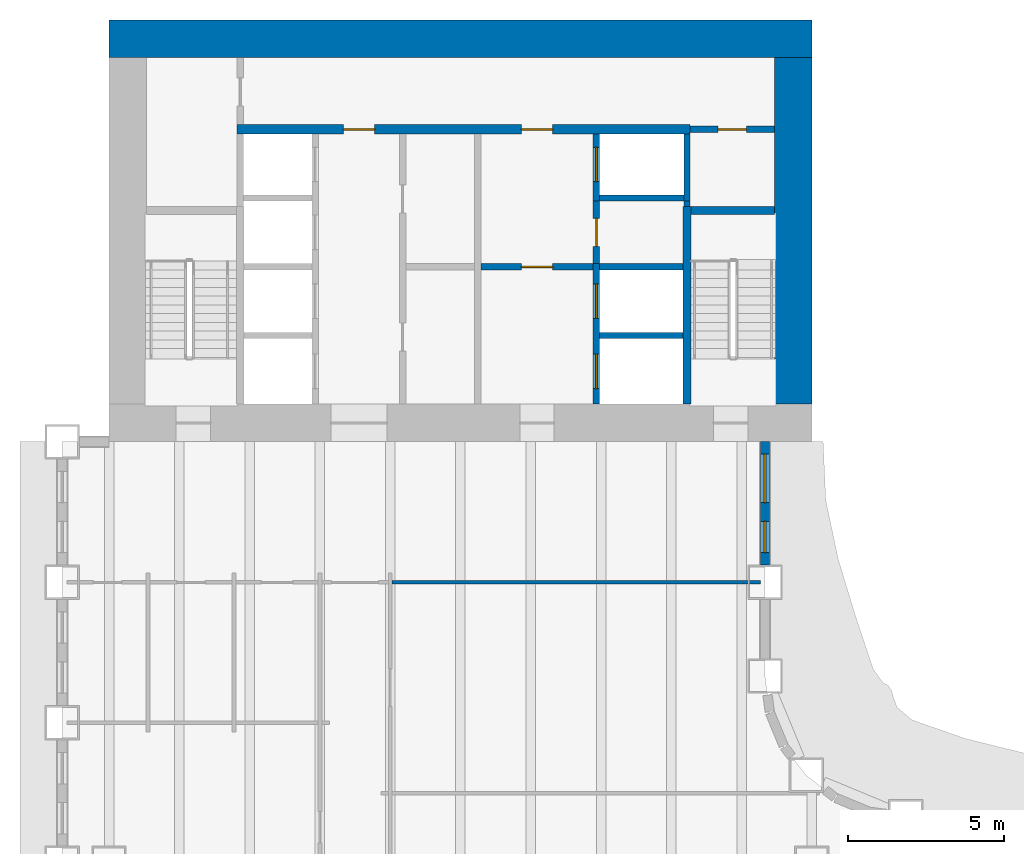
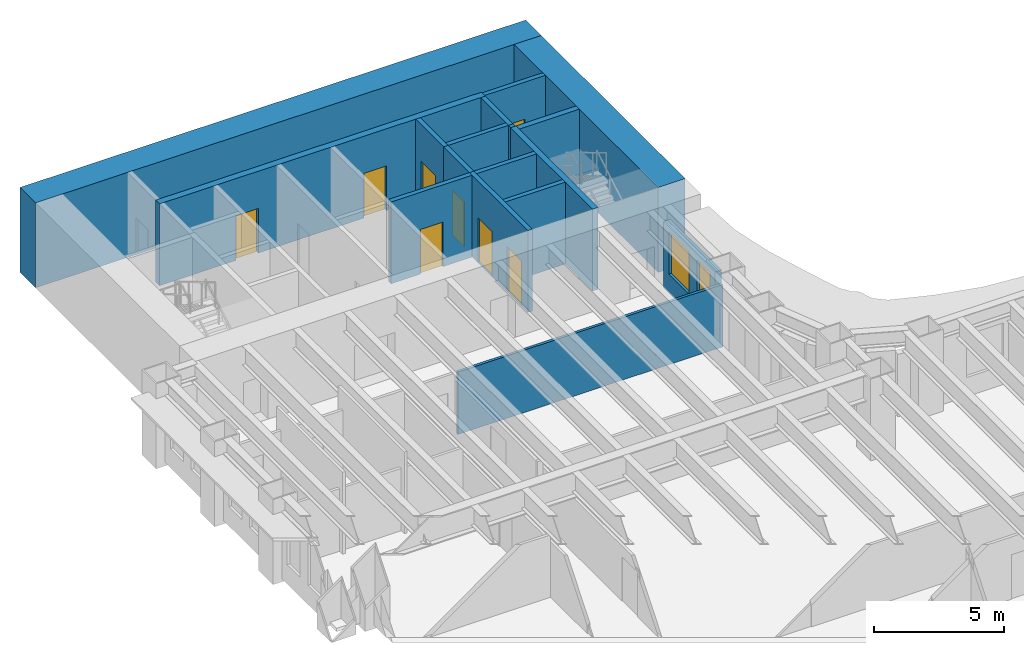
# One storey, part 8 of 15: 17 walls, 8 doors, 2 windows, 10 openings.
"""IFC4 building model written with IfcOpenShell, lengths in metres."""

from ifc_helpers import new_model, si_unit, direction, frame, frame_2d, origin, place, context, subcontext, project, spatial, rectangle, extrude, material, layer, layer_set, type_object, element, fill, save


model = new_model("IFC4")

# Units and contexts
model_context = context("Model", 3, precision=1e-05, world=origin(), true_north=direction((0.0, 1.0)))
body_context = subcontext(model_context, "Body", "Model", "MODEL_VIEW")
ifc_project = project(units=[si_unit("LENGTHUNIT", "METRE"), si_unit("AREAUNIT", "SQUARE_METRE"), si_unit("VOLUMEUNIT", "CUBIC_METRE"), si_unit("PLANEANGLEUNIT", "RADIAN"), si_unit("MASSUNIT", "GRAM", prefix="KILO")], contexts=[model_context])

# Site, building, storey
site_placement = place(None, origin())
site = spatial("IfcSite", under=ifc_project, at=site_placement, CompositionType="ELEMENT")
building_placement = place(site_placement, origin())
building = spatial("IfcBuilding", under=site, at=building_placement, Name="Sennacour Bend Tower", CompositionType="ELEMENT")
storey_placement = place(building_placement, frame((0.0, 0.0, 41.0)))
storey = spatial("IfcBuildingStorey", under=building, at=storey_placement, Name="L08", CompositionType="ELEMENT", Elevation=41.0)

# Walls
ifc_material_1 = material(Name="Concrete C80/95", Category="concrete")
ifc_layer_1 = layer(ifc_material_1, 1.199951171875, Name="Concrete C80/95", Category="concrete")
ifc_layer_set_1 = layer_set([ifc_layer_1], Name="Concrete C80/95")
wall_type_1 = type_object("IfcWallType", Name="Core wall 1200 C80/95", PredefinedType="SHEAR", material=ifc_layer_set_1)
wall_1_placement = place(storey_placement, frame((0.0, 48.89990234375, -0.14990234375), z_axis=(0.0, 0.0, 1.0), x_axis=(1.0, 0.0, 0.0)))
element("IfcWall", 1, at=wall_1_placement, inside=storey, type_object=wall_type_1, Name="Core B wall L08 N", PredefinedType="SHEAR", context=body_context, shape_type="SweptSolid", body=[
    extrude(rectangle(XDim=22.5, YDim=1.199951171875, at=frame_2d((11.25, 0.0))), origin(), (0.0, 0.0, 1.0), 4.0),
])
wall_2_placement = place(storey_placement, frame((21.89990234375, 37.199951171875, -0.14990234375), z_axis=(0.0, 0.0, 1.0), x_axis=(0.0, 1.0, 0.0)))
element("IfcWall", 2, at=wall_2_placement, inside=storey, type_object=wall_type_1, Name="Core B wall L08 E", PredefinedType="SHEAR", context=body_context, shape_type="SweptSolid", body=[
    extrude(rectangle(XDim=11.10009765625, YDim=1.199951171875, at=frame_2d((5.550048828125, 0.0))), origin(), (0.0, 0.0, 1.0), 4.0),
])
ifc_material_2 = material(Name="Plasterboard partition on steel studs", Category="steel")
ifc_layer_2 = layer(ifc_material_2, 0.1201171875, Name="Plasterboard partition on steel studs", Category="steel")
ifc_layer_set_2 = layer_set([ifc_layer_2], Name="Plasterboard partition on steel studs")
wall_type_2 = type_object("IfcWallType", Name="Partition 120", PredefinedType="PARTITIONING", material=ifc_layer_set_2)
wall_3_placement = place(storey_placement, frame((9.06005859375, 31.5, 0.0), z_axis=(0.0, 0.0, 1.0), x_axis=(1.0, 0.0, 0.0)))
element("IfcWall", 3, at=wall_3_placement, inside=storey, type_object=wall_type_2, Name="P-L08-W072ae", PredefinedType="PARTITIONING", context=body_context, shape_type="SweptSolid", body=[
    extrude(rectangle(XDim=11.7900390625, YDim=0.1201171875, at=frame_2d((5.89501953125, 0.0))), origin(), (0.0, 0.0, 1.0), 2.93798828125),
])

# Wall, opening, door
ifc_material_3 = material(Name="Fire-rated plasterboard partition on steel studs", Category="steel")
ifc_layer_3 = layer(ifc_material_3, 0.199951171875, Name="Fire-rated plasterboard partition on steel studs", Category="steel")
ifc_layer_set_3 = layer_set([ifc_layer_3], Name="Fire-rated plasterboard partition on steel studs")
wall_type_3 = type_object("IfcWallType", Name="Rated partition 200", PredefinedType="PARTITIONING", material=ifc_layer_set_3)
wall_4_placement = place(storey_placement, frame((15.60009765625, 41.699951171875, 0.0), z_axis=(0.0, 0.0, 1.0), x_axis=(0.0, 1.0, 0.0)))
wall_4 = element("IfcWall", 4, at=wall_4_placement, inside=storey, type_object=wall_type_3, Name="P-L08-W017", PredefinedType="PARTITIONING", context=body_context, shape_type="SweptSolid", body=[
    extrude(rectangle(XDim=2.0, YDim=0.199951171875, at=frame_2d((1.0, 0.0))), origin(), (0.0, 0.0, 1.0), 3.85009765625),
])
opening_1_placement = place(wall_4_placement, frame((0.550048828125, 0.0, 0.0)))
opening_1 = element("IfcOpeningElement", 5, at=opening_1_placement, cuts=wall_4, Name="Opening SV", PredefinedType="OPENING", context=body_context, shape_type="SweptSolid", body=[
    extrude(rectangle(XDim=0.89990234375, YDim=2.10009765625, at=frame_2d((0.449951171875, 1.050048828125))), frame((0.0, 0.10986328125, 0.0), z_axis=(0.0, -1.0, 0.0), x_axis=(1.0, 0.0, 0.0)), (0.0, 0.0, 1.0), 0.219970703125),
])
ifc_material_4 = material(Name="Painted steel", Category="steel")
door_type_1 = type_object("IfcDoorType", Name="DR-SERVICE-900", OperationType="NOTDEFINED", PredefinedType="DOOR", material=ifc_material_4)
door_1_placement = place(opening_1_placement, origin())
door_1 = element("IfcDoor", 6, at=door_1_placement, inside=storey, type_object=door_type_1, Name="Door", OperationType="SINGLE_SWING_RIGHT", OverallHeight=2.10009765625, OverallWidth=0.89990234375, PredefinedType="DOOR", context=body_context, shape_type="SweptSolid", body=[
    extrude(rectangle(XDim=0.89990234375, YDim=2.10009765625, at=frame_2d((0.449951171875, 1.050048828125))), frame((0.0, 0.02490234375, 0.0), z_axis=(0.0, -1.0, 0.0), x_axis=(1.0, 0.0, 0.0)), (0.0, 0.0, 1.0), 0.050048828125),
])
fill(opening_1, door_1)

# Wall
wall_5_placement = place(storey_placement, frame((18.5, 43.52490234375, 0.0), z_axis=(0.0, 0.0, 1.0), x_axis=(0.0, 1.0, 0.0)))
element("IfcWall", 7, at=wall_5_placement, inside=storey, type_object=wall_type_3, Name="P-L08-W021", PredefinedType="PARTITIONING", context=body_context, shape_type="SweptSolid", body=[
    extrude(rectangle(XDim=0.175048828125, YDim=0.199951171875, at=frame_2d((0.08740234375, 0.0))), origin(), (0.0, 0.0, 1.0), 3.85009765625),
])

# Wall, opening, door
wall_6_placement = place(storey_placement, frame((18.60009765625, 46.0, 0.0), z_axis=(0.0, 0.0, 1.0), x_axis=(1.0, 0.0, 0.0)))
wall_6 = element("IfcWall", 8, at=wall_6_placement, inside=storey, type_object=wall_type_3, Name="P-L08-W084", PredefinedType="PARTITIONING", context=body_context, shape_type="SweptSolid", body=[
    extrude(rectangle(XDim=2.699951171875, YDim=0.199951171875, at=frame_2d((1.35009765625, 0.0))), origin(), (0.0, 0.0, 1.0), 3.85009765625),
])
opening_2_placement = place(wall_6_placement, frame((0.89990234375, 0.0, 0.0)))
opening_2 = element("IfcOpeningElement", 9, at=opening_2_placement, cuts=wall_6, Name="Opening SV", PredefinedType="OPENING", context=body_context, shape_type="SweptSolid", body=[
    extrude(rectangle(XDim=0.89990234375, YDim=2.10009765625, at=frame_2d((0.449951171875, 1.050048828125))), frame((0.0, 0.10986328125, 0.0), z_axis=(0.0, -1.0, 0.0), x_axis=(1.0, 0.0, 0.0)), (0.0, 0.0, 1.0), 0.219970703125),
])
door_2_placement = place(opening_2_placement, origin())
door_2 = element("IfcDoor", 10, at=door_2_placement, inside=storey, type_object=door_type_1, Name="Door", OperationType="SINGLE_SWING_LEFT", OverallHeight=2.10009765625, OverallWidth=0.89990234375, PredefinedType="DOOR", context=body_context, shape_type="SweptSolid", body=[
    extrude(rectangle(XDim=0.89990234375, YDim=2.10009765625, at=frame_2d((0.449951171875, 1.050048828125))), frame((0.0, 0.02490234375, 0.0), z_axis=(0.0, -1.0, 0.0), x_axis=(1.0, 0.0, 0.0)), (0.0, 0.0, 1.0), 0.050048828125),
])
fill(opening_2, door_2)

ifc_layer_4 = layer(ifc_material_3, 0.199951171875, Name="Fire-rated plasterboard partition on steel studs", Category="steel")
ifc_layer_set_4 = layer_set([ifc_layer_4], Name="Fire-rated plasterboard partition on steel studs")
wall_type_4 = type_object("IfcWallType", Name="Rated partition 200 EI 90", PredefinedType="PARTITIONING", material=ifc_layer_set_4)
wall_7_placement = place(storey_placement, frame((11.89990234375, 41.60009765625, 0.0), z_axis=(0.0, 0.0, 1.0), x_axis=(1.0, 0.0, 0.0)))
wall_7 = element("IfcWall", 11, at=wall_7_placement, inside=storey, type_object=wall_type_4, Name="P-L08-W077b", PredefinedType="PARTITIONING", context=body_context, shape_type="SweptSolid", body=[
    extrude(rectangle(XDim=3.60009765625, YDim=0.199951171875, at=frame_2d((1.800048828125, 0.0))), origin(), (0.0, 0.0, 1.0), 3.85009765625),
])
opening_3_placement = place(wall_7_placement, frame((1.300048828125, 0.0, 0.0)))
opening_3 = element("IfcOpeningElement", 12, at=opening_3_placement, cuts=wall_7, Name="Opening FD2", PredefinedType="OPENING", context=body_context, shape_type="SweptSolid", body=[
    extrude(rectangle(XDim=1.0, YDim=2.10009765625, at=frame_2d((0.5, 1.050048828125))), frame((0.0, 0.10986328125, 0.0), z_axis=(0.0, -1.0, 0.0), x_axis=(1.0, 0.0, 0.0)), (0.0, 0.0, 1.0), 0.219970703125),
])
door_type_2 = type_object("IfcDoorType", Name="DR-FFL-1000", OperationType="NOTDEFINED", PredefinedType="DOOR", material=ifc_material_4)
door_3_placement = place(opening_3_placement, origin())
door_3 = element("IfcDoor", 13, at=door_3_placement, inside=storey, type_object=door_type_2, Name="Door", OperationType="SINGLE_SWING_RIGHT", OverallHeight=2.10009765625, OverallWidth=1.0, PredefinedType="DOOR", context=body_context, shape_type="SweptSolid", body=[
    extrude(rectangle(XDim=1.0, YDim=2.10009765625, at=frame_2d((0.5, 1.050048828125))), frame((0.0, 0.02490234375, 0.0), z_axis=(0.0, -1.0, 0.0), x_axis=(1.0, 0.0, 0.0)), (0.0, 0.0, 1.0), 0.050048828125),
])
fill(opening_3, door_3)

# Wall, openings, windows
ifc_material_5 = material(Name="Warm limestone cladding", Category="masonry")
ifc_layer_5 = layer(ifc_material_5, 0.050048828125, Name="Warm limestone cladding", Category="masonry")
ifc_material_6 = material(Name="Precast concrete C40/50", Category="concrete")
ifc_layer_6 = layer(ifc_material_6, 0.25, Name="Precast concrete C40/50", Category="concrete")
ifc_layer_set_5 = layer_set([ifc_layer_5, ifc_layer_6], Name="Precast concrete C40/50 with limestone cladding")
wall_type_5 = type_object("IfcWallType", Name="STONE-CLAD PRECAST SPANDREL 300", PredefinedType="STANDARD", material=ifc_layer_set_5)
wall_8_placement = place(storey_placement, frame((21.0, 32.050048828125, 0.0), z_axis=(0.0, 0.0, 1.0), x_axis=(0.0, 1.0, 0.0)))
wall_8 = element("IfcWall", 14, at=wall_8_placement, inside=storey, type_object=wall_type_5, Name="Stone spandrel and pier wall L08 15.01", PredefinedType="STANDARD", context=body_context, shape_type="SweptSolid", body=[
    extrude(rectangle(XDim=3.949951171875, YDim=0.300048828125, at=frame_2d((1.97509765625, 0.0))), origin(), (0.0, 0.0, 1.0), 3.14404296875),
])
opening_4_placement = place(wall_8_placement, frame((0.39990234375, 0.0, 0.89990234375)))
opening_4 = element("IfcOpeningElement", 15, at=opening_4_placement, cuts=wall_8, Name="Opening W8", PredefinedType="OPENING", context=body_context, shape_type="SweptSolid", body=[
    extrude(rectangle(XDim=1.0, YDim=2.0, at=frame_2d((0.5, 1.0))), frame((0.0, 0.16015625, 0.0), z_axis=(0.0, -1.0, 0.0), x_axis=(1.0, 0.0, 0.0)), (0.0, 0.0, 1.0), 0.320068359375),
])
opening_5_placement = place(wall_8_placement, frame((2.0, 0.0, 0.89990234375)))
opening_5 = element("IfcOpeningElement", 16, at=opening_5_placement, cuts=wall_8, Name="Opening W9", PredefinedType="OPENING", context=body_context, shape_type="SweptSolid", body=[
    extrude(rectangle(XDim=1.550048828125, YDim=2.0, at=frame_2d((0.77490234375, 1.0))), frame((0.0, 0.16015625, 0.0), z_axis=(0.0, -1.0, 0.0), x_axis=(1.0, 0.0, 0.0)), (0.0, 0.0, 1.0), 0.320068359375),
])
ifc_material_7 = material(Name="Clear low-emissivity glass", Category="glass")
window_type_1 = type_object("IfcWindowType", Name="WIN-RIBBON-1000x2000", PartitioningType="SINGLE_PANEL", PredefinedType="WINDOW", material=ifc_material_7)
window_1_placement = place(opening_4_placement, origin())
window_1 = element("IfcWindow", 17, at=window_1_placement, inside=storey, type_object=window_type_1, Name="Ribbon window L08 15.01.0", OverallHeight=2.0, OverallWidth=1.0, PartitioningType="SINGLE_PANEL", PredefinedType="WINDOW", context=body_context, shape_type="SweptSolid", body=[
    extrude(rectangle(XDim=1.0, YDim=2.0, at=frame_2d((0.5, 1.0))), frame((0.0, 0.030029296875, 0.0), z_axis=(0.0, -1.0, 0.0), x_axis=(1.0, 0.0, 0.0)), (0.0, 0.0, 1.0), 0.06005859375),
])
fill(opening_4, window_1)
window_type_2 = type_object("IfcWindowType", Name="WIN-RIBBON-1550x2000", PartitioningType="SINGLE_PANEL", PredefinedType="WINDOW", material=ifc_material_7)
window_2_placement = place(opening_5_placement, origin())
window_2 = element("IfcWindow", 18, at=window_2_placement, inside=storey, type_object=window_type_2, Name="Ribbon window L08 15.01.1", OverallHeight=2.0, OverallWidth=1.550048828125, PartitioningType="SINGLE_PANEL", PredefinedType="WINDOW", context=body_context, shape_type="SweptSolid", body=[
    extrude(rectangle(XDim=1.550048828125, YDim=2.0, at=frame_2d((0.77490234375, 1.0))), frame((0.0, 0.030029296875, 0.0), z_axis=(0.0, -1.0, 0.0), x_axis=(1.0, 0.0, 0.0)), (0.0, 0.0, 1.0), 0.06005859375),
])
fill(opening_5, window_2)

# Wall, openings, doors
ifc_material_8 = material(Name="Concrete C50/60", Category="concrete")
ifc_layer_7 = layer(ifc_material_8, 0.199951171875, Name="Concrete C50/60", Category="concrete")
ifc_layer_set_6 = layer_set([ifc_layer_7], Name="Concrete C50/60")
wall_type_6 = type_object("IfcWallType", Name="Shaft wall 200", PredefinedType="SOLIDWALL", material=ifc_layer_set_6)
wall_9_placement = place(storey_placement, frame((15.60009765625, 37.199951171875, 0.0), z_axis=(0.0, 0.0, 1.0), x_axis=(0.0, 1.0, 0.0)))
wall_9 = element("IfcWall", 19, at=wall_9_placement, inside=storey, type_object=wall_type_6, Name="P-L08-W016", PredefinedType="SOLIDWALL", context=body_context, shape_type="SweptSolid", body=[
    extrude(rectangle(XDim=4.5, YDim=0.199951171875, at=frame_2d((2.25, 0.0))), origin(), (0.0, 0.0, 1.0), 3.85009765625),
])
opening_6_placement = place(wall_9_placement, frame((0.5, 0.0, 0.011962890625)))
opening_6 = element("IfcOpeningElement", 20, at=opening_6_placement, cuts=wall_9, Name="Opening FLD", PredefinedType="OPENING", context=body_context, shape_type="SweptSolid", body=[
    extrude(rectangle(XDim=1.10009765625, YDim=2.10009765625, at=frame_2d((0.550048828125, 1.050048828125))), frame((0.0, 0.10986328125, 0.0), z_axis=(0.0, -1.0, 0.0), x_axis=(1.0, 0.0, 0.0)), (0.0, 0.0, 1.0), 0.219970703125),
])
opening_7_placement = place(wall_9_placement, frame((2.75, 0.0, 0.011962890625)))
opening_7 = element("IfcOpeningElement", 21, at=opening_7_placement, cuts=wall_9, Name="Opening FLD", PredefinedType="OPENING", context=body_context, shape_type="SweptSolid", body=[
    extrude(rectangle(XDim=1.10009765625, YDim=2.10009765625, at=frame_2d((0.550048828125, 1.050048828125))), frame((0.0, 0.10986328125, 0.0), z_axis=(0.0, -1.0, 0.0), x_axis=(1.0, 0.0, 0.0)), (0.0, 0.0, 1.0), 0.219970703125),
])
ifc_material_9 = material(Name="Stainless steel", Category="steel")
door_type_3 = type_object("IfcDoorType", Name="DR-FF-LANDING-1100", OperationType="NOTDEFINED", PredefinedType="DOOR", material=ifc_material_9)
door_4_placement = place(opening_6_placement, origin())
door_4 = element("IfcDoor", 22, at=door_4_placement, inside=storey, type_object=door_type_3, Name="Fire service lift landing door FB1", OperationType="SLIDING_TO_RIGHT", OverallHeight=2.10009765625, OverallWidth=1.10009765625, PredefinedType="DOOR", context=body_context, shape_type="SweptSolid", body=[
    extrude(rectangle(XDim=1.10009765625, YDim=2.10009765625, at=frame_2d((0.550048828125, 1.050048828125))), frame((0.0, 0.02490234375, 0.0), z_axis=(0.0, -1.0, 0.0), x_axis=(1.0, 0.0, 0.0)), (0.0, 0.0, 1.0), 0.050048828125),
])
fill(opening_6, door_4)
door_5_placement = place(opening_7_placement, origin())
door_5 = element("IfcDoor", 23, at=door_5_placement, inside=storey, type_object=door_type_3, Name="Fire service lift landing door FB2", OperationType="SLIDING_TO_LEFT", OverallHeight=2.10009765625, OverallWidth=1.10009765625, PredefinedType="DOOR", context=body_context, shape_type="SweptSolid", body=[
    extrude(rectangle(XDim=1.10009765625, YDim=2.10009765625, at=frame_2d((0.550048828125, 1.050048828125))), frame((0.0, 0.02490234375, 0.0), z_axis=(0.0, -1.0, 0.0), x_axis=(1.0, 0.0, 0.0)), (0.0, 0.0, 1.0), 0.050048828125),
])
fill(opening_7, door_5)

# Wall, opening, door
wall_10_placement = place(storey_placement, frame((15.60009765625, 43.699951171875, 0.0), z_axis=(0.0, 0.0, 1.0), x_axis=(0.0, 1.0, 0.0)))
wall_10 = element("IfcWall", 24, at=wall_10_placement, inside=storey, type_object=wall_type_6, Name="P-L08-W018", PredefinedType="SOLIDWALL", context=body_context, shape_type="SweptSolid", body=[
    extrude(rectangle(XDim=2.150146484375, YDim=0.199951171875, at=frame_2d((1.0751953125, 0.0))), origin(), (0.0, 0.0, 1.0), 3.85009765625),
])
opening_8_placement = place(wall_10_placement, frame((0.625, 0.0, 0.011962890625)))
opening_8 = element("IfcOpeningElement", 25, at=opening_8_placement, cuts=wall_10, Name="Opening LD", PredefinedType="OPENING", context=body_context, shape_type="SweptSolid", body=[
    extrude(rectangle(XDim=1.10009765625, YDim=2.10009765625, at=frame_2d((0.550048828125, 1.050048828125))), frame((0.0, 0.10986328125, 0.0), z_axis=(0.0, -1.0, 0.0), x_axis=(1.0, 0.0, 0.0)), (0.0, 0.0, 1.0), 0.219970703125),
])
door_type_4 = type_object("IfcDoorType", Name="DR-LANDING-1100", OperationType="NOTDEFINED", PredefinedType="DOOR", material=ifc_material_9)
door_6_placement = place(opening_8_placement, origin())
door_6 = element("IfcDoor", 26, at=door_6_placement, inside=storey, type_object=door_type_4, Name="Lift landing door LB5", OperationType="SLIDING_TO_RIGHT", OverallHeight=2.10009765625, OverallWidth=1.10009765625, PredefinedType="DOOR", context=body_context, shape_type="SweptSolid", body=[
    extrude(rectangle(XDim=1.10009765625, YDim=2.10009765625, at=frame_2d((0.550048828125, 1.050048828125))), frame((0.0, 0.02490234375, 0.0), z_axis=(0.0, -1.0, 0.0), x_axis=(1.0, 0.0, 0.0)), (0.0, 0.0, 1.0), 0.050048828125),
])
fill(opening_8, door_6)

# Walls
wall_11_placement = place(storey_placement, frame((18.5, 43.699951171875, 0.0), z_axis=(0.0, 0.0, 1.0), x_axis=(0.0, 1.0, 0.0)))
element("IfcWall", 27, at=wall_11_placement, inside=storey, type_object=wall_type_6, Name="P-L08-W022", PredefinedType="SOLIDWALL", context=body_context, shape_type="SweptSolid", body=[
    extrude(rectangle(XDim=2.150146484375, YDim=0.199951171875, at=frame_2d((1.0751953125, 0.0))), origin(), (0.0, 0.0, 1.0), 3.85009765625),
])
for number, where, z_axis, x_axis, name in (
    (28, (15.699951171875, 39.39990234375, 0.0), (0.0, 0.0, 1.0), (1.0, 0.0, 0.0), "P-L08-W075"),
    (29, (15.699951171875, 41.60009765625, 0.0), (0.0, 0.0, 1.0), (1.0, 0.0, 0.0), "P-L08-W078"),
):
    element("IfcWall", number, at=place(storey_placement, frame(where, z_axis=z_axis, x_axis=x_axis)), inside=storey, type_object=wall_type_6, Name=name, PredefinedType="SOLIDWALL", context=body_context, shape_type="SweptSolid", body=[
        extrude(rectangle(XDim=2.675048828125, YDim=0.199951171875, at=frame_2d((1.33740234375, 0.0))), origin(), (0.0, 0.0, 1.0), 3.85009765625),
    ])
wall_12_placement = place(storey_placement, frame((15.699951171875, 43.800048828125, 0.0), z_axis=(0.0, 0.0, 1.0), x_axis=(1.0, 0.0, 0.0)))
element("IfcWall", 30, at=wall_12_placement, inside=storey, type_object=wall_type_6, Name="P-L08-W082", PredefinedType="SOLIDWALL", context=body_context, shape_type="SweptSolid", body=[
    extrude(rectangle(XDim=2.699951171875, YDim=0.199951171875, at=frame_2d((1.35009765625, 0.0))), origin(), (0.0, 0.0, 1.0), 3.85009765625),
])

# Wall, openings, doors
ifc_material_10 = material(Name="Concrete C60/75", Category="concrete")
ifc_layer_8 = layer(ifc_material_10, 0.300048828125, Name="Concrete C60/75", Category="concrete")
ifc_layer_set_7 = layer_set([ifc_layer_8], Name="Concrete C60/75")
wall_type_7 = type_object("IfcWallType", Name="Spine wall 300", PredefinedType="SHEAR", material=ifc_layer_set_7)
wall_13_placement = place(storey_placement, frame((4.10009765625, 46.0, 0.0), z_axis=(0.0, 0.0, 1.0), x_axis=(1.0, 0.0, 0.0)))
wall_13 = element("IfcWall", 31, at=wall_13_placement, inside=storey, type_object=wall_type_7, Name="P-L08-W083", PredefinedType="SHEAR", context=body_context, shape_type="SweptSolid", body=[
    extrude(rectangle(XDim=14.5, YDim=0.300048828125, at=frame_2d((7.25, 0.0))), origin(), (0.0, 0.0, 1.0), 3.85009765625),
])
opening_9_placement = place(wall_13_placement, frame((3.39990234375, 0.0, 0.0)))
opening_9 = element("IfcOpeningElement", 32, at=opening_9_placement, cuts=wall_13, Name="Opening CD2", PredefinedType="OPENING", context=body_context, shape_type="SweptSolid", body=[
    extrude(rectangle(XDim=1.0, YDim=2.10009765625, at=frame_2d((0.5, 1.050048828125))), frame((0.0, 0.16015625, 0.0), z_axis=(0.0, -1.0, 0.0), x_axis=(1.0, 0.0, 0.0)), (0.0, 0.0, 1.0), 0.320068359375),
])
opening_10_placement = place(wall_13_placement, frame((9.099853515625, 0.0, 0.0)))
opening_10 = element("IfcOpeningElement", 33, at=opening_10_placement, cuts=wall_13, Name="Opening CD2", PredefinedType="OPENING", context=body_context, shape_type="SweptSolid", body=[
    extrude(rectangle(XDim=1.0, YDim=2.10009765625, at=frame_2d((0.5, 1.050048828125))), frame((0.0, 0.16015625, 0.0), z_axis=(0.0, -1.0, 0.0), x_axis=(1.0, 0.0, 0.0)), (0.0, 0.0, 1.0), 0.320068359375),
])
door_type_5 = type_object("IfcDoorType", Name="DR-LOBBY-1000", OperationType="NOTDEFINED", PredefinedType="DOOR", material=ifc_material_4)
door_7_placement = place(opening_9_placement, origin())
door_7 = element("IfcDoor", 34, at=door_7_placement, inside=storey, type_object=door_type_5, Name="Door", OperationType="SINGLE_SWING_LEFT", OverallHeight=2.10009765625, OverallWidth=1.0, PredefinedType="DOOR", context=body_context, shape_type="SweptSolid", body=[
    extrude(rectangle(XDim=1.0, YDim=2.10009765625, at=frame_2d((0.5, 1.050048828125))), frame((0.0, 0.02490234375, 0.0), z_axis=(0.0, -1.0, 0.0), x_axis=(1.0, 0.0, 0.0)), (0.0, 0.0, 1.0), 0.050048828125),
])
fill(opening_9, door_7)
door_8_placement = place(opening_10_placement, origin())
door_8 = element("IfcDoor", 35, at=door_8_placement, inside=storey, type_object=door_type_5, Name="Door", OperationType="SINGLE_SWING_RIGHT", OverallHeight=2.10009765625, OverallWidth=1.0, PredefinedType="DOOR", context=body_context, shape_type="SweptSolid", body=[
    extrude(rectangle(XDim=1.0, YDim=2.10009765625, at=frame_2d((0.5, 1.050048828125))), frame((0.0, 0.02490234375, 0.0), z_axis=(0.0, -1.0, 0.0), x_axis=(1.0, 0.0, 0.0)), (0.0, 0.0, 1.0), 0.050048828125),
])
fill(opening_10, door_8)

# Walls
ifc_layer_9 = layer(ifc_material_10, 0.25, Name="Concrete C60/75", Category="concrete")
ifc_layer_set_8 = layer_set([ifc_layer_9], Name="Concrete C60/75")
wall_type_8 = type_object("IfcWallType", Name="Stair wall 250", PredefinedType="SHEAR", material=ifc_layer_set_8)
wall_14_placement = place(storey_placement, frame((18.5, 37.199951171875, 0.0), z_axis=(0.0, 0.0, 1.0), x_axis=(0.0, 1.0, 0.0)))
element("IfcWall", 36, at=wall_14_placement, inside=storey, type_object=wall_type_8, Name="P-L08-W020", PredefinedType="SHEAR", context=body_context, shape_type="SweptSolid", body=[
    extrude(rectangle(XDim=6.324951171875, YDim=0.25, at=frame_2d((3.16259765625, 0.0))), origin(), (0.0, 0.0, 1.0), 3.85009765625),
])
wall_15_placement = place(storey_placement, frame((18.625, 43.39990234375, 0.0), z_axis=(0.0, 0.0, 1.0), x_axis=(1.0, 0.0, 0.0)))
element("IfcWall", 37, at=wall_15_placement, inside=storey, type_object=wall_type_8, Name="P-L08-W080", PredefinedType="SHEAR", context=body_context, shape_type="SweptSolid", body=[
    extrude(rectangle(XDim=2.675048828125, YDim=0.25, at=frame_2d((1.33740234375, 0.0))), origin(), (0.0, 0.0, 1.0), 3.85009765625),
])

save(model, "model.ifc")
